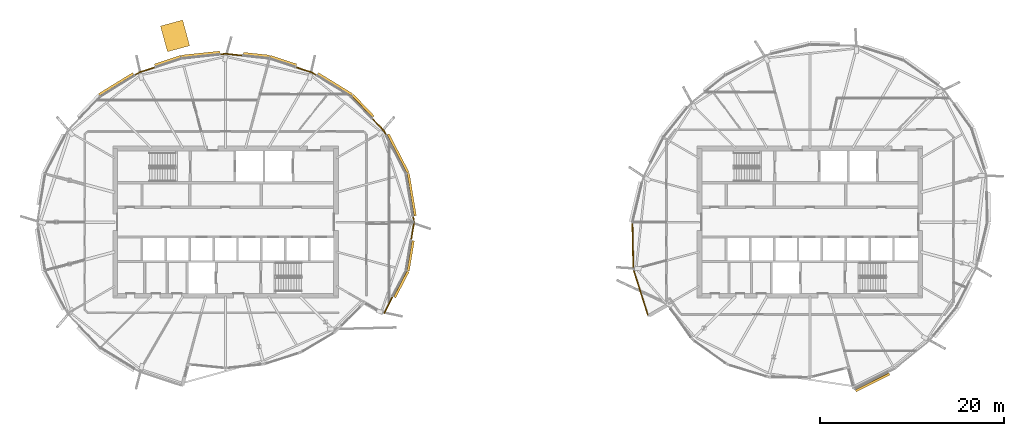
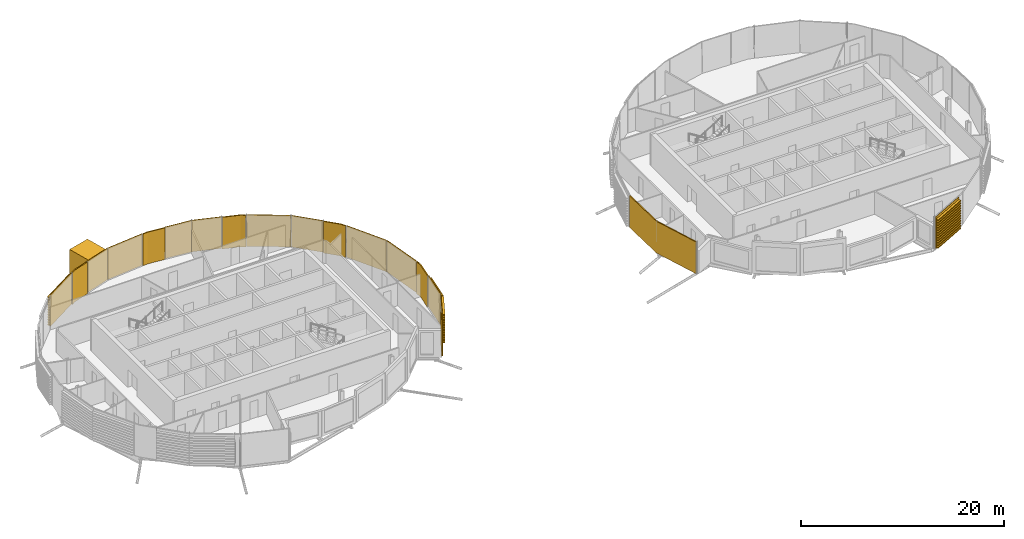
# One storey, part 30 of 33: 20 coverings.
"""IFC4 building model written with IfcOpenShell, lengths in metres."""

from ifc_helpers import new_model, si_unit, direction, frame, origin, place, context, subcontext, project, spatial, polyline, outline, extrude, material, layer, layer_set, material_profile, profile_set, type_object, element, save


model = new_model("IFC4")

# Units and contexts
model_context = context("Model", 3, precision=1e-05, world=origin(), true_north=direction((0.0, 1.0)))
body_context = subcontext(model_context, "Body", "Model", "MODEL_VIEW")
ifc_project = project(units=[si_unit("LENGTHUNIT", "METRE"), si_unit("AREAUNIT", "SQUARE_METRE"), si_unit("VOLUMEUNIT", "CUBIC_METRE"), si_unit("PLANEANGLEUNIT", "RADIAN"), si_unit("MASSUNIT", "GRAM", prefix="KILO")], contexts=[model_context])

# Site, building, storey
site_placement = place(None, origin())
site = spatial("IfcSite", under=ifc_project, at=site_placement, CompositionType="ELEMENT")
building_placement = place(site_placement, origin())
building = spatial("IfcBuilding", under=site, at=building_placement, Name="Rimbun Link Towers", CompositionType="ELEMENT")
storey_placement = place(building_placement, frame((0.0, 0.0, 237.10009765625)))
storey = spatial("IfcBuildingStorey", under=building, at=storey_placement, Name="L58", CompositionType="ELEMENT", Elevation=237.10009765625)

# Coverings
ifc_material_1 = material(Name="Terracotta-faced insulated sandwich panel", Category="masonry")
ifc_layer_1 = layer(ifc_material_1, 0.10009765625)
ifc_layer_set_1 = layer_set([ifc_layer_1], Name="CAPSULE service module")
covering_type_1 = type_object("IfcCoveringType", Name="CAPSULE service module", PredefinedType="CLADDING", material=ifc_layer_set_1)
covering_1_placement = place(storey_placement, frame((0.0, 0.0, -0.800048828125)))
element("IfcCovering", 1, at=covering_1_placement, inside=storey, type_object=covering_type_1, Name="CAPSULE D571.02 service module", PredefinedType="CLADDING", context=body_context, shape_type="SweptSolid", body=[
    extrude(outline(polyline([(-36.413818359375, 21.966064453125), (-38.82666015625, 21.3115234375), (-38.0673828125, 18.5126953125), (-35.654541015625, 19.167236328125), (-36.413818359375, 21.966064453125)])), origin(), (0.0, 0.0, 1.0), 3.159912109375),
])
ifc_material_2 = material(Name="Terracotta", Category="masonry")
ifc_layer_2 = layer(ifc_material_2, 0.1201171875)
ifc_layer_set_2 = layer_set([ifc_layer_2], Name="LINK PIER terracotta cladding 120")
covering_type_2 = type_object("IfcCoveringType", Name="LINK PIER terracotta cladding 120", PredefinedType="CLADDING", material=ifc_layer_set_2)
covering_2_placement = place(storey_placement, origin())
element("IfcCovering", 2, at=covering_2_placement, inside=storey, type_object=covering_type_2, Name="LINK PIER cladding", PredefinedType="CLADDING", context=body_context, shape_type="SweptSolid", body=[
    extrude(outline(polyline([(-11.42529296875, 0.61181640625), (-11.32470703125, 0.0), (-11.64453125, -1.94384765625), (-11.526123046875, -1.96337890625), (-11.203125, 0.0), (-11.306884765625, 0.63134765625), (-11.42529296875, 0.61181640625)])), origin(), (0.0, 0.0, 1.0), 3.7998046875),
])
covering_3_placement = place(storey_placement, origin())
element("IfcCovering", 3, at=covering_3_placement, inside=storey, type_object=covering_type_2, Name="LINK PIER cladding", PredefinedType="CLADDING", context=body_context, shape_type="SweptSolid", body=[
    extrude(outline(polyline([(-15.85791015625, 11.21630859375), (-14.598388671875, 9.902587890625), (-14.359375, 9.440673828125), (-14.252685546875, 9.495849609375), (-14.499755859375, 9.97314453125), (-15.771240234375, 11.29931640625), (-15.85791015625, 11.21630859375)])), origin(), (0.0, 0.0, 1.0), 3.7998046875),
])
covering_4_placement = place(storey_placement, origin())
element("IfcCovering", 4, at=covering_4_placement, inside=storey, type_object=covering_type_2, Name="LINK PIER cladding", PredefinedType="CLADDING", context=body_context, shape_type="SweptSolid", body=[
    extrude(outline(polyline([(-24.118896484375, 16.7822265625), (-22.391357421875, 16.209716796875), (-21.905517578125, 15.91162109375), (-21.8427734375, 16.013916015625), (-22.34033203125, 16.3193359375), (-24.0810546875, 16.896240234375), (-24.118896484375, 16.7822265625)])), origin(), (0.0, 0.0, 1.0), 3.7998046875),
])
covering_5_placement = place(storey_placement, origin())
element("IfcCovering", 5, at=covering_5_placement, inside=storey, type_object=covering_type_2, Name="LINK PIER cladding", PredefinedType="CLADDING", context=body_context, shape_type="SweptSolid", body=[
    extrude(outline(polyline([(-32.31689453125, 18.177001953125), (-31.75, 18.23681640625), (-29.890380859375, 18.041015625), (-29.877685546875, 18.160400390625), (-31.75, 18.357421875), (-32.329345703125, 18.29638671875), (-32.31689453125, 18.177001953125)])), origin(), (0.0, 0.0, 1.0), 3.7998046875),
])
covering_6_placement = place(storey_placement, origin())
element("IfcCovering", 6, at=covering_6_placement, inside=storey, type_object=covering_type_2, Name="LINK PIER cladding", PredefinedType="CLADDING", context=body_context, shape_type="SweptSolid", body=[
    extrude(outline(polyline([(-41.594482421875, 15.91162109375), (-41.108642578125, 16.209716796875), (-39.381103515625, 16.7822265625), (-39.4189453125, 16.896240234375), (-41.15966796875, 16.3193359375), (-41.6572265625, 16.013916015625), (-41.594482421875, 15.91162109375)])), origin(), (0.0, 0.0, 1.0), 3.7998046875),
])
covering_7_placement = place(storey_placement, origin())
element("IfcCovering", 7, at=covering_7_placement, inside=storey, type_object=covering_type_2, Name="LINK PIER cladding", PredefinedType="CLADDING", context=body_context, shape_type="SweptSolid", body=[
    extrude(outline(polyline([(-13.64697265625, -8.064208984375), (-14.58447265625, -9.8759765625), (-14.47802734375, -9.93115234375), (-13.54052734375, -8.119384765625), (-13.64697265625, -8.064208984375)])), origin(), (0.0, 0.0, 1.0), 3.7998046875),
])
covering_8_placement = place(storey_placement, origin())
element("IfcCovering", 8, at=covering_8_placement, inside=storey, type_object=covering_type_2, Name="LINK PIER cladding", PredefinedType="CLADDING", context=body_context, shape_type="SweptSolid", body=[
    extrude(outline(polyline([(14.200927734375, -10.09814453125), (12.61962890625, -5.1259765625), (12.512451171875, -0.030029296875), (12.392333984375, -0.032470703125), (12.5, -5.145751953125), (14.086669921875, -10.134521484375), (14.200927734375, -10.09814453125)])), origin(), (0.0, 0.0, 1.0), 3.7998046875),
])
ifc_material_3 = material(Name="Terracotta", Category="masonry")
ifc_material_profile = material_profile(ifc_material_3, outline(polyline([(0.123046875, 0.0), (0.1630859375, 0.0), (0.1630859375, 0.10009765625), (0.423095703125, 0.10009765625), (0.423095703125, 0.219970703125), (0.1630859375, 0.219970703125), (0.1630859375, 0.39990234375), (0.423095703125, 0.39990234375), (0.423095703125, 0.52001953125), (0.1630859375, 0.52001953125), (0.1630859375, 0.699951171875), (0.423095703125, 0.699951171875), (0.423095703125, 0.820068359375), (0.1630859375, 0.820068359375), (0.1630859375, 1.0), (0.423095703125, 1.0), (0.423095703125, 1.1201171875), (0.1630859375, 1.1201171875), (0.1630859375, 1.300048828125), (0.423095703125, 1.300048828125), (0.423095703125, 1.419921875), (0.1630859375, 1.419921875), (0.1630859375, 1.60009765625), (0.423095703125, 1.60009765625), (0.423095703125, 1.719970703125), (0.1630859375, 1.719970703125), (0.1630859375, 1.89990234375), (0.423095703125, 1.89990234375), (0.423095703125, 2.02001953125), (0.1630859375, 2.02001953125), (0.1630859375, 2.199951171875), (0.423095703125, 2.199951171875), (0.423095703125, 2.320068359375), (0.1630859375, 2.320068359375), (0.1630859375, 2.5), (0.423095703125, 2.5), (0.423095703125, 2.6201171875), (0.1630859375, 2.6201171875), (0.1630859375, 2.800048828125), (0.423095703125, 2.800048828125), (0.423095703125, 2.919921875), (0.1630859375, 2.919921875), (0.1630859375, 3.10009765625), (0.423095703125, 3.10009765625), (0.423095703125, 3.219970703125), (0.1630859375, 3.219970703125), (0.1630859375, 3.39990234375), (0.423095703125, 3.39990234375), (0.423095703125, 3.52001953125), (0.1630859375, 3.52001953125), (0.1630859375, 3.800048828125), (0.123046875, 3.800048828125), (0.123046875, 0.0)])), Name="BAGUETTE 120X300")
ifc_profile_set = profile_set([ifc_material_profile], Name="Terracotta")
covering_type_3 = type_object("IfcCoveringType", Name="TERRACOTTA BAGUETTE 120X300 H3800", PredefinedType="CLADDING", material=ifc_profile_set)
covering_9_placement = place(storey_placement, frame((-12.186767578125, 5.241943359375, 0.0), z_axis=(0.162275745515, -0.986745449656, 0.0), x_axis=(0.986745449656, 0.162275745515, 0.0)))
element("IfcCovering", 9, at=covering_9_placement, inside=storey, type_object=covering_type_3, Name="TERRACOTTA BAGUETTE", PredefinedType="CLADDING", context=body_context, shape_type="SweptSolid", body=[
    extrude(outline(polyline([(0.123046875, 0.0), (0.1630859375, 0.0), (0.1630859375, 0.10009765625), (0.423095703125, 0.10009765625), (0.423095703125, 0.219970703125), (0.1630859375, 0.219970703125), (0.1630859375, 0.39990234375), (0.423095703125, 0.39990234375), (0.423095703125, 0.52001953125), (0.1630859375, 0.52001953125), (0.1630859375, 0.699951171875), (0.423095703125, 0.699951171875), (0.423095703125, 0.820068359375), (0.1630859375, 0.820068359375), (0.1630859375, 1.0), (0.423095703125, 1.0), (0.423095703125, 1.1201171875), (0.1630859375, 1.1201171875), (0.1630859375, 1.300048828125), (0.423095703125, 1.300048828125), (0.423095703125, 1.419921875), (0.1630859375, 1.419921875), (0.1630859375, 1.60009765625), (0.423095703125, 1.60009765625), (0.423095703125, 1.719970703125), (0.1630859375, 1.719970703125), (0.1630859375, 1.89990234375), (0.423095703125, 1.89990234375), (0.423095703125, 2.02001953125), (0.1630859375, 2.02001953125), (0.1630859375, 2.199951171875), (0.423095703125, 2.199951171875), (0.423095703125, 2.320068359375), (0.1630859375, 2.320068359375), (0.1630859375, 2.5), (0.423095703125, 2.5), (0.423095703125, 2.6201171875), (0.1630859375, 2.6201171875), (0.1630859375, 2.800048828125), (0.423095703125, 2.800048828125), (0.423095703125, 2.919921875), (0.1630859375, 2.919921875), (0.1630859375, 3.10009765625), (0.423095703125, 3.10009765625), (0.423095703125, 3.219970703125), (0.1630859375, 3.219970703125), (0.1630859375, 3.39990234375), (0.423095703125, 3.39990234375), (0.423095703125, 3.52001953125), (0.1630859375, 3.52001953125), (0.1630859375, 3.800048828125), (0.123046875, 3.800048828125), (0.123046875, 0.0)])), origin(), (0.0, 0.0, 1.0), 4.662353515625),
])
covering_10_placement = place(storey_placement, frame((-14.345458984375, 9.4140625, 0.0), z_axis=(0.459540267256, -0.88815693589, 0.0), x_axis=(0.88815693589, 0.459540267256, 0.0)))
element("IfcCovering", 10, at=covering_10_placement, inside=storey, type_object=covering_type_3, Name="TERRACOTTA BAGUETTE", PredefinedType="CLADDING", context=body_context, shape_type="SweptSolid", body=[
    extrude(outline(polyline([(0.123046875, 0.0), (0.1630859375, 0.0), (0.1630859375, 0.10009765625), (0.423095703125, 0.10009765625), (0.423095703125, 0.219970703125), (0.1630859375, 0.219970703125), (0.1630859375, 0.39990234375), (0.423095703125, 0.39990234375), (0.423095703125, 0.52001953125), (0.1630859375, 0.52001953125), (0.1630859375, 0.699951171875), (0.423095703125, 0.699951171875), (0.423095703125, 0.820068359375), (0.1630859375, 0.820068359375), (0.1630859375, 1.0), (0.423095703125, 1.0), (0.423095703125, 1.1201171875), (0.1630859375, 1.1201171875), (0.1630859375, 1.300048828125), (0.423095703125, 1.300048828125), (0.423095703125, 1.419921875), (0.1630859375, 1.419921875), (0.1630859375, 1.60009765625), (0.423095703125, 1.60009765625), (0.423095703125, 1.719970703125), (0.1630859375, 1.719970703125), (0.1630859375, 1.89990234375), (0.423095703125, 1.89990234375), (0.423095703125, 2.02001953125), (0.1630859375, 2.02001953125), (0.1630859375, 2.199951171875), (0.423095703125, 2.199951171875), (0.423095703125, 2.320068359375), (0.1630859375, 2.320068359375), (0.1630859375, 2.5), (0.423095703125, 2.5), (0.423095703125, 2.6201171875), (0.1630859375, 2.6201171875), (0.1630859375, 2.800048828125), (0.423095703125, 2.800048828125), (0.423095703125, 2.919921875), (0.1630859375, 2.919921875), (0.1630859375, 3.10009765625), (0.423095703125, 3.10009765625), (0.423095703125, 3.219970703125), (0.1630859375, 3.219970703125), (0.1630859375, 3.39990234375), (0.423095703125, 3.39990234375), (0.423095703125, 3.52001953125), (0.1630859375, 3.52001953125), (0.1630859375, 3.800048828125), (0.123046875, 3.800048828125), (0.123046875, 0.0)])), origin(), (0.0, 0.0, 1.0), 4.697509765625),
])
covering_11_placement = place(storey_placement, frame((-18.146484375, 13.603515625, 0.0), z_axis=(0.692049364256, -0.721850176583, 0.0), x_axis=(0.721850176583, 0.692049364256, 0.0)))
element("IfcCovering", 11, at=covering_11_placement, inside=storey, type_object=covering_type_3, Name="TERRACOTTA BAGUETTE", PredefinedType="CLADDING", context=body_context, shape_type="SweptSolid", body=[
    extrude(outline(polyline([(0.123046875, 0.0), (0.1630859375, 0.0), (0.1630859375, 0.10009765625), (0.423095703125, 0.10009765625), (0.423095703125, 0.219970703125), (0.1630859375, 0.219970703125), (0.1630859375, 0.39990234375), (0.423095703125, 0.39990234375), (0.423095703125, 0.52001953125), (0.1630859375, 0.52001953125), (0.1630859375, 0.699951171875), (0.423095703125, 0.699951171875), (0.423095703125, 0.820068359375), (0.1630859375, 0.820068359375), (0.1630859375, 1.0), (0.423095703125, 1.0), (0.423095703125, 1.1201171875), (0.1630859375, 1.1201171875), (0.1630859375, 1.300048828125), (0.423095703125, 1.300048828125), (0.423095703125, 1.419921875), (0.1630859375, 1.419921875), (0.1630859375, 1.60009765625), (0.423095703125, 1.60009765625), (0.423095703125, 1.719970703125), (0.1630859375, 1.719970703125), (0.1630859375, 1.89990234375), (0.423095703125, 1.89990234375), (0.423095703125, 2.02001953125), (0.1630859375, 2.02001953125), (0.1630859375, 2.199951171875), (0.423095703125, 2.199951171875), (0.423095703125, 2.320068359375), (0.1630859375, 2.320068359375), (0.1630859375, 2.5), (0.423095703125, 2.5), (0.423095703125, 2.6201171875), (0.1630859375, 2.6201171875), (0.1630859375, 2.800048828125), (0.423095703125, 2.800048828125), (0.423095703125, 2.919921875), (0.1630859375, 2.919921875), (0.1630859375, 3.10009765625), (0.423095703125, 3.10009765625), (0.423095703125, 3.219970703125), (0.1630859375, 3.219970703125), (0.1630859375, 3.39990234375), (0.423095703125, 3.39990234375), (0.423095703125, 3.52001953125), (0.1630859375, 3.52001953125), (0.1630859375, 3.800048828125), (0.123046875, 3.800048828125), (0.123046875, 0.0)])), origin(), (0.0, 0.0, 1.0), 3.27685546875),
])
covering_12_placement = place(storey_placement, frame((-21.8798828125, 15.895751953125, 0.0), z_axis=(0.852191715112, -0.523229663431, 0.0), x_axis=(0.523229663431, 0.852191715112, 0.0)))
element("IfcCovering", 12, at=covering_12_placement, inside=storey, type_object=covering_type_3, Name="TERRACOTTA BAGUETTE", PredefinedType="CLADDING", context=body_context, shape_type="SweptSolid", body=[
    extrude(outline(polyline([(0.123046875, 0.0), (0.1630859375, 0.0), (0.1630859375, 0.10009765625), (0.423095703125, 0.10009765625), (0.423095703125, 0.219970703125), (0.1630859375, 0.219970703125), (0.1630859375, 0.39990234375), (0.423095703125, 0.39990234375), (0.423095703125, 0.52001953125), (0.1630859375, 0.52001953125), (0.1630859375, 0.699951171875), (0.423095703125, 0.699951171875), (0.423095703125, 0.820068359375), (0.1630859375, 0.820068359375), (0.1630859375, 1.0), (0.423095703125, 1.0), (0.423095703125, 1.1201171875), (0.1630859375, 1.1201171875), (0.1630859375, 1.300048828125), (0.423095703125, 1.300048828125), (0.423095703125, 1.419921875), (0.1630859375, 1.419921875), (0.1630859375, 1.60009765625), (0.423095703125, 1.60009765625), (0.423095703125, 1.719970703125), (0.1630859375, 1.719970703125), (0.1630859375, 1.89990234375), (0.423095703125, 1.89990234375), (0.423095703125, 2.02001953125), (0.1630859375, 2.02001953125), (0.1630859375, 2.199951171875), (0.423095703125, 2.199951171875), (0.423095703125, 2.320068359375), (0.1630859375, 2.320068359375), (0.1630859375, 2.5), (0.423095703125, 2.5), (0.423095703125, 2.6201171875), (0.1630859375, 2.6201171875), (0.1630859375, 2.800048828125), (0.423095703125, 2.800048828125), (0.423095703125, 2.919921875), (0.1630859375, 2.919921875), (0.1630859375, 3.10009765625), (0.423095703125, 3.10009765625), (0.423095703125, 3.219970703125), (0.1630859375, 3.219970703125), (0.1630859375, 3.39990234375), (0.423095703125, 3.39990234375), (0.423095703125, 3.52001953125), (0.1630859375, 3.52001953125), (0.1630859375, 3.800048828125), (0.123046875, 3.800048828125), (0.123046875, 0.0)])), origin(), (0.0, 0.0, 1.0), 4.380859375),
])
covering_13_placement = place(storey_placement, frame((-26.99755859375, 17.736328125, 0.0), z_axis=(0.949226675131, -0.314592942101, 0.0), x_axis=(0.314592942101, 0.949226675131, 0.0)))
element("IfcCovering", 13, at=covering_13_placement, inside=storey, type_object=covering_type_3, Name="TERRACOTTA BAGUETTE", PredefinedType="CLADDING", context=body_context, shape_type="SweptSolid", body=[
    extrude(outline(polyline([(0.123046875, 0.0), (0.1630859375, 0.0), (0.1630859375, 0.10009765625), (0.423095703125, 0.10009765625), (0.423095703125, 0.219970703125), (0.1630859375, 0.219970703125), (0.1630859375, 0.39990234375), (0.423095703125, 0.39990234375), (0.423095703125, 0.52001953125), (0.1630859375, 0.52001953125), (0.1630859375, 0.699951171875), (0.423095703125, 0.699951171875), (0.423095703125, 0.820068359375), (0.1630859375, 0.820068359375), (0.1630859375, 1.0), (0.423095703125, 1.0), (0.423095703125, 1.1201171875), (0.1630859375, 1.1201171875), (0.1630859375, 1.300048828125), (0.423095703125, 1.300048828125), (0.423095703125, 1.419921875), (0.1630859375, 1.419921875), (0.1630859375, 1.60009765625), (0.423095703125, 1.60009765625), (0.423095703125, 1.719970703125), (0.1630859375, 1.719970703125), (0.1630859375, 1.89990234375), (0.423095703125, 1.89990234375), (0.423095703125, 2.02001953125), (0.1630859375, 2.02001953125), (0.1630859375, 2.199951171875), (0.423095703125, 2.199951171875), (0.423095703125, 2.320068359375), (0.1630859375, 2.320068359375), (0.1630859375, 2.5), (0.423095703125, 2.5), (0.423095703125, 2.6201171875), (0.1630859375, 2.6201171875), (0.1630859375, 2.800048828125), (0.423095703125, 2.800048828125), (0.423095703125, 2.919921875), (0.1630859375, 2.919921875), (0.1630859375, 3.10009765625), (0.423095703125, 3.10009765625), (0.423095703125, 3.219970703125), (0.1630859375, 3.219970703125), (0.1630859375, 3.39990234375), (0.423095703125, 3.39990234375), (0.423095703125, 3.52001953125), (0.1630859375, 3.52001953125), (0.1630859375, 3.800048828125), (0.123046875, 3.800048828125), (0.123046875, 0.0)])), origin(), (0.0, 0.0, 1.0), 3.00244140625),
])
covering_14_placement = place(storey_placement, frame((-29.8603515625, 18.037841796875, 0.0), z_axis=(0.9944994099, -0.104742177318, 0.0), x_axis=(0.104742177318, 0.9944994099, 0.0)))
element("IfcCovering", 14, at=covering_14_placement, inside=storey, type_object=covering_type_3, Name="TERRACOTTA BAGUETTE", PredefinedType="CLADDING", context=body_context, shape_type="SweptSolid", body=[
    extrude(outline(polyline([(0.123046875, 0.0), (0.1630859375, 0.0), (0.1630859375, 0.10009765625), (0.423095703125, 0.10009765625), (0.423095703125, 0.219970703125), (0.1630859375, 0.219970703125), (0.1630859375, 0.39990234375), (0.423095703125, 0.39990234375), (0.423095703125, 0.52001953125), (0.1630859375, 0.52001953125), (0.1630859375, 0.699951171875), (0.423095703125, 0.699951171875), (0.423095703125, 0.820068359375), (0.1630859375, 0.820068359375), (0.1630859375, 1.0), (0.423095703125, 1.0), (0.423095703125, 1.1201171875), (0.1630859375, 1.1201171875), (0.1630859375, 1.300048828125), (0.423095703125, 1.300048828125), (0.423095703125, 1.419921875), (0.1630859375, 1.419921875), (0.1630859375, 1.60009765625), (0.423095703125, 1.60009765625), (0.423095703125, 1.719970703125), (0.1630859375, 1.719970703125), (0.1630859375, 1.89990234375), (0.423095703125, 1.89990234375), (0.423095703125, 2.02001953125), (0.1630859375, 2.02001953125), (0.1630859375, 2.199951171875), (0.423095703125, 2.199951171875), (0.423095703125, 2.320068359375), (0.1630859375, 2.320068359375), (0.1630859375, 2.5), (0.423095703125, 2.5), (0.423095703125, 2.6201171875), (0.1630859375, 2.6201171875), (0.1630859375, 2.800048828125), (0.423095703125, 2.800048828125), (0.423095703125, 2.919921875), (0.1630859375, 2.919921875), (0.1630859375, 3.10009765625), (0.423095703125, 3.10009765625), (0.423095703125, 3.219970703125), (0.1630859375, 3.219970703125), (0.1630859375, 3.39990234375), (0.423095703125, 3.39990234375), (0.423095703125, 3.52001953125), (0.1630859375, 3.52001953125), (0.1630859375, 3.800048828125), (0.123046875, 3.800048828125), (0.123046875, 0.0)])), origin(), (0.0, 0.0, 1.0), 2.878662109375),
])
covering_15_placement = place(storey_placement, frame((-36.50244140625, 17.736328125, 0.0), z_axis=(0.994498087402, 0.104754733328, 0.0), x_axis=(-0.104754733328, 0.994498087402, 0.0)))
element("IfcCovering", 15, at=covering_15_placement, inside=storey, type_object=covering_type_3, Name="TERRACOTTA BAGUETTE", PredefinedType="CLADDING", context=body_context, shape_type="SweptSolid", body=[
    extrude(outline(polyline([(0.123046875, 0.0), (0.1630859375, 0.0), (0.1630859375, 0.10009765625), (0.423095703125, 0.10009765625), (0.423095703125, 0.219970703125), (0.1630859375, 0.219970703125), (0.1630859375, 0.39990234375), (0.423095703125, 0.39990234375), (0.423095703125, 0.52001953125), (0.1630859375, 0.52001953125), (0.1630859375, 0.699951171875), (0.423095703125, 0.699951171875), (0.423095703125, 0.820068359375), (0.1630859375, 0.820068359375), (0.1630859375, 1.0), (0.423095703125, 1.0), (0.423095703125, 1.1201171875), (0.1630859375, 1.1201171875), (0.1630859375, 1.300048828125), (0.423095703125, 1.300048828125), (0.423095703125, 1.419921875), (0.1630859375, 1.419921875), (0.1630859375, 1.60009765625), (0.423095703125, 1.60009765625), (0.423095703125, 1.719970703125), (0.1630859375, 1.719970703125), (0.1630859375, 1.89990234375), (0.423095703125, 1.89990234375), (0.423095703125, 2.02001953125), (0.1630859375, 2.02001953125), (0.1630859375, 2.199951171875), (0.423095703125, 2.199951171875), (0.423095703125, 2.320068359375), (0.1630859375, 2.320068359375), (0.1630859375, 2.5), (0.423095703125, 2.5), (0.423095703125, 2.6201171875), (0.1630859375, 2.6201171875), (0.1630859375, 2.800048828125), (0.423095703125, 2.800048828125), (0.423095703125, 2.919921875), (0.1630859375, 2.919921875), (0.1630859375, 3.10009765625), (0.423095703125, 3.10009765625), (0.423095703125, 3.219970703125), (0.1630859375, 3.219970703125), (0.1630859375, 3.39990234375), (0.423095703125, 3.39990234375), (0.423095703125, 3.52001953125), (0.1630859375, 3.52001953125), (0.1630859375, 3.800048828125), (0.123046875, 3.800048828125), (0.123046875, 0.0)])), origin(), (0.0, 0.0, 1.0), 4.1787109375),
])
covering_16_placement = place(storey_placement, frame((-39.3525390625, 16.791748046875, 0.0), z_axis=(0.949226675131, 0.314592942101, 0.0), x_axis=(-0.314592942101, 0.949226675131, 0.0)))
element("IfcCovering", 16, at=covering_16_placement, inside=storey, type_object=covering_type_3, Name="TERRACOTTA BAGUETTE", PredefinedType="CLADDING", context=body_context, shape_type="SweptSolid", body=[
    extrude(outline(polyline([(0.123046875, 0.0), (0.1630859375, 0.0), (0.1630859375, 0.10009765625), (0.423095703125, 0.10009765625), (0.423095703125, 0.219970703125), (0.1630859375, 0.219970703125), (0.1630859375, 0.39990234375), (0.423095703125, 0.39990234375), (0.423095703125, 0.52001953125), (0.1630859375, 0.52001953125), (0.1630859375, 0.699951171875), (0.423095703125, 0.699951171875), (0.423095703125, 0.820068359375), (0.1630859375, 0.820068359375), (0.1630859375, 1.0), (0.423095703125, 1.0), (0.423095703125, 1.1201171875), (0.1630859375, 1.1201171875), (0.1630859375, 1.300048828125), (0.423095703125, 1.300048828125), (0.423095703125, 1.419921875), (0.1630859375, 1.419921875), (0.1630859375, 1.60009765625), (0.423095703125, 1.60009765625), (0.423095703125, 1.719970703125), (0.1630859375, 1.719970703125), (0.1630859375, 1.89990234375), (0.423095703125, 1.89990234375), (0.423095703125, 2.02001953125), (0.1630859375, 2.02001953125), (0.1630859375, 2.199951171875), (0.423095703125, 2.199951171875), (0.423095703125, 2.320068359375), (0.1630859375, 2.320068359375), (0.1630859375, 2.5), (0.423095703125, 2.5), (0.423095703125, 2.6201171875), (0.1630859375, 2.6201171875), (0.1630859375, 2.800048828125), (0.423095703125, 2.800048828125), (0.423095703125, 2.919921875), (0.1630859375, 2.919921875), (0.1630859375, 3.10009765625), (0.423095703125, 3.10009765625), (0.423095703125, 3.219970703125), (0.1630859375, 3.219970703125), (0.1630859375, 3.39990234375), (0.423095703125, 3.39990234375), (0.423095703125, 3.52001953125), (0.1630859375, 3.52001953125), (0.1630859375, 3.800048828125), (0.123046875, 3.800048828125), (0.123046875, 0.0)])), origin(), (0.0, 0.0, 1.0), 3.00244140625),
])
covering_17_placement = place(storey_placement, frame((-45.353515625, 13.603515625, 0.0), z_axis=(0.852191715112, 0.523229663431, 0.0), x_axis=(-0.523229663431, 0.852191715112, 0.0)))
element("IfcCovering", 17, at=covering_17_placement, inside=storey, type_object=covering_type_3, Name="TERRACOTTA BAGUETTE", PredefinedType="CLADDING", context=body_context, shape_type="SweptSolid", body=[
    extrude(outline(polyline([(0.123046875, 0.0), (0.1630859375, 0.0), (0.1630859375, 0.10009765625), (0.423095703125, 0.10009765625), (0.423095703125, 0.219970703125), (0.1630859375, 0.219970703125), (0.1630859375, 0.39990234375), (0.423095703125, 0.39990234375), (0.423095703125, 0.52001953125), (0.1630859375, 0.52001953125), (0.1630859375, 0.699951171875), (0.423095703125, 0.699951171875), (0.423095703125, 0.820068359375), (0.1630859375, 0.820068359375), (0.1630859375, 1.0), (0.423095703125, 1.0), (0.423095703125, 1.1201171875), (0.1630859375, 1.1201171875), (0.1630859375, 1.300048828125), (0.423095703125, 1.300048828125), (0.423095703125, 1.419921875), (0.1630859375, 1.419921875), (0.1630859375, 1.60009765625), (0.423095703125, 1.60009765625), (0.423095703125, 1.719970703125), (0.1630859375, 1.719970703125), (0.1630859375, 1.89990234375), (0.423095703125, 1.89990234375), (0.423095703125, 2.02001953125), (0.1630859375, 2.02001953125), (0.1630859375, 2.199951171875), (0.423095703125, 2.199951171875), (0.423095703125, 2.320068359375), (0.1630859375, 2.320068359375), (0.1630859375, 2.5), (0.423095703125, 2.5), (0.423095703125, 2.6201171875), (0.1630859375, 2.6201171875), (0.1630859375, 2.800048828125), (0.423095703125, 2.800048828125), (0.423095703125, 2.919921875), (0.1630859375, 2.919921875), (0.1630859375, 3.10009765625), (0.423095703125, 3.10009765625), (0.423095703125, 3.219970703125), (0.1630859375, 3.219970703125), (0.1630859375, 3.39990234375), (0.423095703125, 3.39990234375), (0.423095703125, 3.52001953125), (0.1630859375, 3.52001953125), (0.1630859375, 3.800048828125), (0.123046875, 3.800048828125), (0.123046875, 0.0)])), origin(), (0.0, 0.0, 1.0), 4.380859375),
])
covering_18_placement = place(storey_placement, frame((-12.186767578125, -5.241943359375, 0.0), z_axis=(-0.459549514876, -0.888152151029, 0.0), x_axis=(0.888152151029, -0.459549514876, 0.0)))
element("IfcCovering", 18, at=covering_18_placement, inside=storey, type_object=covering_type_3, Name="TERRACOTTA BAGUETTE", PredefinedType="CLADDING", context=body_context, shape_type="SweptSolid", body=[
    extrude(outline(polyline([(0.123046875, 0.0), (0.1630859375, 0.0), (0.1630859375, 0.10009765625), (0.423095703125, 0.10009765625), (0.423095703125, 0.219970703125), (0.1630859375, 0.219970703125), (0.1630859375, 0.39990234375), (0.423095703125, 0.39990234375), (0.423095703125, 0.52001953125), (0.1630859375, 0.52001953125), (0.1630859375, 0.699951171875), (0.423095703125, 0.699951171875), (0.423095703125, 0.820068359375), (0.1630859375, 0.820068359375), (0.1630859375, 1.0), (0.423095703125, 1.0), (0.423095703125, 1.1201171875), (0.1630859375, 1.1201171875), (0.1630859375, 1.300048828125), (0.423095703125, 1.300048828125), (0.423095703125, 1.419921875), (0.1630859375, 1.419921875), (0.1630859375, 1.60009765625), (0.423095703125, 1.60009765625), (0.423095703125, 1.719970703125), (0.1630859375, 1.719970703125), (0.1630859375, 1.89990234375), (0.423095703125, 1.89990234375), (0.423095703125, 2.02001953125), (0.1630859375, 2.02001953125), (0.1630859375, 2.199951171875), (0.423095703125, 2.199951171875), (0.423095703125, 2.320068359375), (0.1630859375, 2.320068359375), (0.1630859375, 2.5), (0.423095703125, 2.5), (0.423095703125, 2.6201171875), (0.1630859375, 2.6201171875), (0.1630859375, 2.800048828125), (0.423095703125, 2.800048828125), (0.423095703125, 2.919921875), (0.1630859375, 2.919921875), (0.1630859375, 3.10009765625), (0.423095703125, 3.10009765625), (0.423095703125, 3.219970703125), (0.1630859375, 3.219970703125), (0.1630859375, 3.39990234375), (0.423095703125, 3.39990234375), (0.423095703125, 3.52001953125), (0.1630859375, 3.52001953125), (0.1630859375, 3.800048828125), (0.123046875, 3.800048828125), (0.123046875, 0.0)])), origin(), (0.0, 0.0, 1.0), 3.147705078125),
])
covering_19_placement = place(storey_placement, frame((-11.6494140625, -1.973388671875, 0.0), z_axis=(-0.162223312703, -0.986754071091, 0.0), x_axis=(0.986754071091, -0.162223312703, 0.0)))
element("IfcCovering", 19, at=covering_19_placement, inside=storey, type_object=covering_type_3, Name="TERRACOTTA BAGUETTE", PredefinedType="CLADDING", context=body_context, shape_type="SweptSolid", body=[
    extrude(outline(polyline([(0.123046875, 0.0), (0.1630859375, 0.0), (0.1630859375, 0.10009765625), (0.423095703125, 0.10009765625), (0.423095703125, 0.219970703125), (0.1630859375, 0.219970703125), (0.1630859375, 0.39990234375), (0.423095703125, 0.39990234375), (0.423095703125, 0.52001953125), (0.1630859375, 0.52001953125), (0.1630859375, 0.699951171875), (0.423095703125, 0.699951171875), (0.423095703125, 0.820068359375), (0.1630859375, 0.820068359375), (0.1630859375, 1.0), (0.423095703125, 1.0), (0.423095703125, 1.1201171875), (0.1630859375, 1.1201171875), (0.1630859375, 1.300048828125), (0.423095703125, 1.300048828125), (0.423095703125, 1.419921875), (0.1630859375, 1.419921875), (0.1630859375, 1.60009765625), (0.423095703125, 1.60009765625), (0.423095703125, 1.719970703125), (0.1630859375, 1.719970703125), (0.1630859375, 1.89990234375), (0.423095703125, 1.89990234375), (0.423095703125, 2.02001953125), (0.1630859375, 2.02001953125), (0.1630859375, 2.199951171875), (0.423095703125, 2.199951171875), (0.423095703125, 2.320068359375), (0.1630859375, 2.320068359375), (0.1630859375, 2.5), (0.423095703125, 2.5), (0.423095703125, 2.6201171875), (0.1630859375, 2.6201171875), (0.1630859375, 2.800048828125), (0.423095703125, 2.800048828125), (0.423095703125, 2.919921875), (0.1630859375, 2.919921875), (0.1630859375, 3.10009765625), (0.423095703125, 3.10009765625), (0.423095703125, 3.219970703125), (0.1630859375, 3.219970703125), (0.1630859375, 3.39990234375), (0.423095703125, 3.39990234375), (0.423095703125, 3.52001953125), (0.1630859375, 3.52001953125), (0.1630859375, 3.800048828125), (0.123046875, 3.800048828125), (0.123046875, 0.0)])), origin(), (0.0, 0.0, 1.0), 3.3125),
])
covering_20_placement = place(storey_placement, frame((40.2607421875, -16.238525390625, 0.0), z_axis=(-0.893652230904, -0.448760170024, 0.0), x_axis=(0.448760170024, -0.893652230904, 0.0)))
element("IfcCovering", 20, at=covering_20_placement, inside=storey, type_object=covering_type_3, Name="TERRACOTTA BAGUETTE", PredefinedType="CLADDING", context=body_context, shape_type="SweptSolid", body=[
    extrude(outline(polyline([(0.123046875, 0.0), (0.1630859375, 0.0), (0.1630859375, 0.10009765625), (0.423095703125, 0.10009765625), (0.423095703125, 0.219970703125), (0.1630859375, 0.219970703125), (0.1630859375, 0.39990234375), (0.423095703125, 0.39990234375), (0.423095703125, 0.52001953125), (0.1630859375, 0.52001953125), (0.1630859375, 0.699951171875), (0.423095703125, 0.699951171875), (0.423095703125, 0.820068359375), (0.1630859375, 0.820068359375), (0.1630859375, 1.0), (0.423095703125, 1.0), (0.423095703125, 1.1201171875), (0.1630859375, 1.1201171875), (0.1630859375, 1.300048828125), (0.423095703125, 1.300048828125), (0.423095703125, 1.419921875), (0.1630859375, 1.419921875), (0.1630859375, 1.60009765625), (0.423095703125, 1.60009765625), (0.423095703125, 1.719970703125), (0.1630859375, 1.719970703125), (0.1630859375, 1.89990234375), (0.423095703125, 1.89990234375), (0.423095703125, 2.02001953125), (0.1630859375, 2.02001953125), (0.1630859375, 2.199951171875), (0.423095703125, 2.199951171875), (0.423095703125, 2.320068359375), (0.1630859375, 2.320068359375), (0.1630859375, 2.5), (0.423095703125, 2.5), (0.423095703125, 2.6201171875), (0.1630859375, 2.6201171875), (0.1630859375, 2.800048828125), (0.423095703125, 2.800048828125), (0.423095703125, 2.919921875), (0.1630859375, 2.919921875), (0.1630859375, 3.10009765625), (0.423095703125, 3.10009765625), (0.423095703125, 3.219970703125), (0.1630859375, 3.219970703125), (0.1630859375, 3.39990234375), (0.423095703125, 3.39990234375), (0.423095703125, 3.52001953125), (0.1630859375, 3.52001953125), (0.1630859375, 3.800048828125), (0.123046875, 3.800048828125), (0.123046875, 0.0)])), origin(), (0.0, 0.0, 1.0), 4.1025390625),
])

save(model, "model.ifc")
